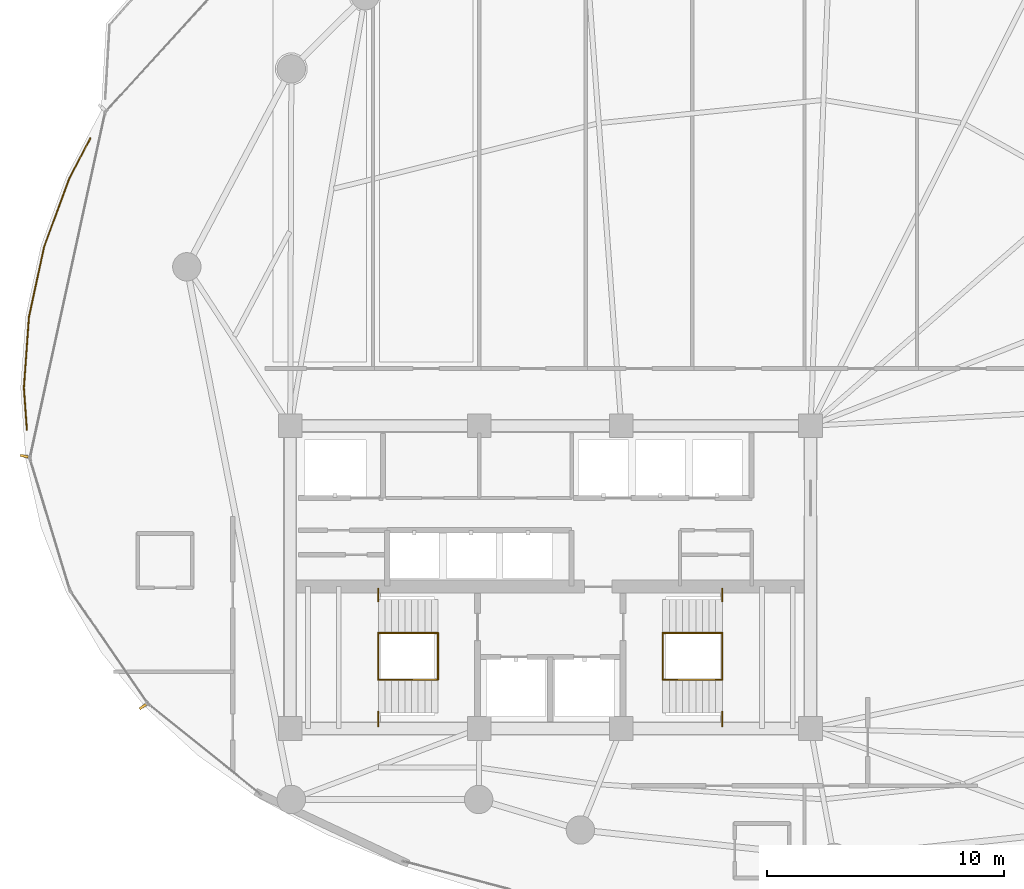
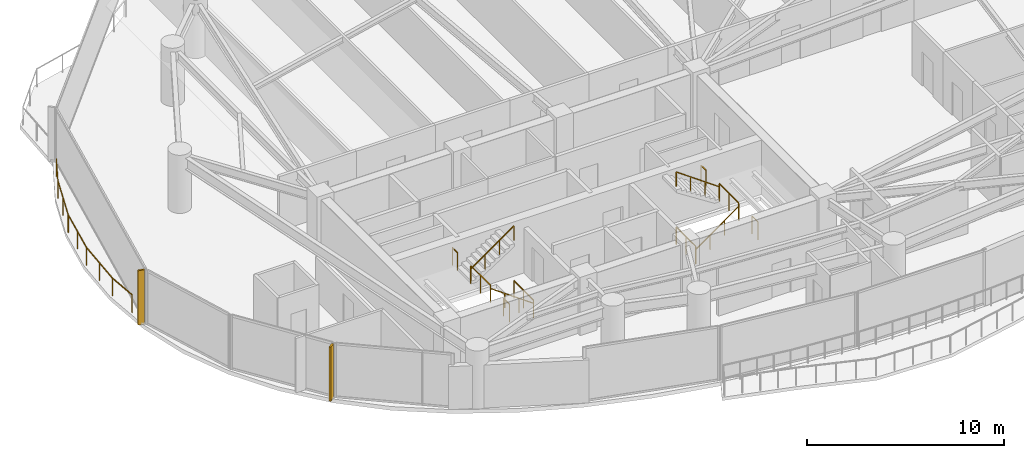
# One storey, part 31 of 34: 13 railings, 2 shading devices.
"""IFC4 building model written with IfcOpenShell, lengths in metres."""

from ifc_helpers import new_model, si_unit, direction, frame, origin, origin_2d, place, context, subcontext, project, spatial, rectangle, extrude, material, type_object, element, save


model = new_model("IFC4")

# Units and contexts
model_context = context("Model", 3, precision=1e-05, world=origin(), true_north=direction((0.0, 1.0)))
body_context = subcontext(model_context, "Body", "Model", "MODEL_VIEW")
ifc_project = project(units=[si_unit("LENGTHUNIT", "METRE"), si_unit("AREAUNIT", "SQUARE_METRE"), si_unit("VOLUMEUNIT", "CUBIC_METRE"), si_unit("PLANEANGLEUNIT", "RADIAN"), si_unit("MASSUNIT", "GRAM", prefix="KILO")], contexts=[model_context])

# Site, building, storey
site_placement = place(None, origin())
site = spatial("IfcSite", under=ifc_project, at=site_placement, CompositionType="ELEMENT")
building_placement = place(site_placement, origin())
building = spatial("IfcBuilding", under=site, at=building_placement, Name="Kazevale Care Tower and Concert Hall", CompositionType="ELEMENT")
storey_placement = place(building_placement, frame((0.0, 0.0, 174.60009765625)))
storey = spatial("IfcBuildingStorey", under=building, at=storey_placement, Name="L46", CompositionType="ELEMENT", Elevation=174.60009765625)

# Railings
ifc_material_1 = material(Name="Anodised Bronze Aluminium and Laminated Glass", Category="aluminium")
railing_type_1 = type_object("IfcRailingType", Name="Balcony and Terrace Balustrade 1120", PredefinedType="BALUSTRADE", material=ifc_material_1)
railing_1_placement = place(storey_placement, frame((10.867919921875, 36.22705078125, 0.0)))
element("IfcRailing", 1, at=railing_1_placement, inside=storey, type_object=railing_type_1, Name="rail:L46:perim:1", PredefinedType="BALUSTRADE", context=body_context, shape_type="SweptSolid", body=[
    extrude(rectangle(XDim=0.048095703125, YDim=0.048095703125, at=origin_2d()), frame((0.0, 0.0, 1.09619140625), z_axis=(-0.071969318028, 0.997406846409, 0.0), x_axis=(-0.997406846409, -0.071969318028, 0.0)), (0.0, 0.0, 1.0), 1.777587890625),
    extrude(rectangle(XDim=0.048095703125, YDim=0.048095703125, at=origin_2d()), frame((-0.1279296875, 1.77294921875, 1.09619140625), z_axis=(0.071442989214, 0.997444684828, 0.0), x_axis=(-0.997444684828, 0.071442989214, 0.0)), (0.0, 0.0, 1.0), 3.0107421875),
    extrude(rectangle(XDim=0.048095703125, YDim=0.048095703125, at=origin_2d()), frame((0.087158203125, 4.77587890625, 1.09619140625), z_axis=(0.211501042265, 0.97737777196, 0.0), x_axis=(-0.97737777196, 0.211501042265, 0.0)), (0.0, 0.0, 1.0), 3.03466796875),
    extrude(rectangle(XDim=0.048095703125, YDim=0.048095703125, at=origin_2d()), frame((0.72900390625, 7.741943359375, 1.09619140625), z_axis=(0.344808910619, 0.938672901046, 0.0), x_axis=(-0.938672901046, 0.344808910619, 0.0)), (0.0, 0.0, 1.0), 3.080078125),
    extrude(rectangle(XDim=0.048095703125, YDim=0.048095703125, at=origin_2d()), frame((1.791015625, 10.633056640625, 1.09619140625), z_axis=(0.466764151967, 0.884381832942, 0.0), x_axis=(-0.884381832942, 0.466764151967, 0.0)), (0.0, 0.0, 1.0), 1.91748046875),
    extrude(rectangle(XDim=0.0419921875, YDim=0.0419921875, at=origin_2d()), origin(), (0.0, 0.0, 1.0), 1.072021484375),
    extrude(rectangle(XDim=0.0419921875, YDim=0.0419921875, at=origin_2d()), frame((-0.1279296875, 1.77294921875, 0.0)), (0.0, 0.0, 1.0), 1.072021484375),
    extrude(rectangle(XDim=0.0419921875, YDim=0.0419921875, at=origin_2d()), frame((-0.0205078125, 3.2744140625, 0.0)), (0.0, 0.0, 1.0), 1.072021484375),
    extrude(rectangle(XDim=0.0419921875, YDim=0.0419921875, at=origin_2d()), frame((0.087158203125, 4.77587890625, 0.0)), (0.0, 0.0, 1.0), 1.072021484375),
    extrude(rectangle(XDim=0.0419921875, YDim=0.0419921875, at=origin_2d()), frame((0.408203125, 6.2587890625, 0.0)), (0.0, 0.0, 1.0), 1.072021484375),
    extrude(rectangle(XDim=0.0419921875, YDim=0.0419921875, at=origin_2d()), frame((0.72900390625, 7.741943359375, 0.0)), (0.0, 0.0, 1.0), 1.072021484375),
    extrude(rectangle(XDim=0.0419921875, YDim=0.0419921875, at=origin_2d()), frame((1.260009765625, 9.1875, 0.0)), (0.0, 0.0, 1.0), 1.072021484375),
    extrude(rectangle(XDim=0.0419921875, YDim=0.0419921875, at=origin_2d()), frame((1.791015625, 10.633056640625, 0.0)), (0.0, 0.0, 1.0), 1.072021484375),
    extrude(rectangle(XDim=0.0419921875, YDim=0.0419921875, at=origin_2d()), frame((2.68603515625, 12.328857421875, 0.0)), (0.0, 0.0, 1.0), 1.072021484375),
])
ifc_material_2 = material(Name="Stainless Steel 316", Category="steel")
railing_type_2 = type_object("IfcRailingType", Name="Stair Pitch Handrail 920", PredefinedType="HANDRAIL", material=ifc_material_2)
railing_2_placement = place(storey_placement, frame((28.25, 25.659912109375, 0.0)))
element("IfcRailing", 2, at=railing_2_placement, inside=storey, type_object=railing_type_2, Name="stair:L46:ST1:hr1", PredefinedType="HANDRAIL", context=body_context, shape_type="SweptSolid", body=[
    extrude(rectangle(XDim=0.048095703125, YDim=0.048095703125, at=origin_2d()), frame((0.0, 0.0, 0.89599609375), z_axis=(-0.813765431312, 0.0, 0.581193446971), x_axis=(0.0, -1.0, 0.0)), (0.0, 0.0, 1.0), 3.0966796875),
    extrude(rectangle(XDim=0.0419921875, YDim=0.0419921875, at=origin_2d()), origin(), (0.0, 0.0, 1.0), 0.871826171875),
    extrude(rectangle(XDim=0.0419921875, YDim=0.0419921875, at=origin_2d()), frame((-0.840087890625, 0.0, 0.599853515625)), (0.0, 0.0, 1.0), 0.871826171875),
    extrude(rectangle(XDim=0.0419921875, YDim=0.0419921875, at=origin_2d()), frame((-1.679931640625, 0.0, 1.199951171875)), (0.0, 0.0, 1.0), 0.871826171875),
    extrude(rectangle(XDim=0.0419921875, YDim=0.0419921875, at=origin_2d()), frame((-2.52001953125, 0.0, 1.7998046875)), (0.0, 0.0, 1.0), 0.871826171875),
])
railing_3_placement = place(storey_placement, frame((25.72998046875, 27.639892578125, 1.7998046875)))
element("IfcRailing", 3, at=railing_3_placement, inside=storey, type_object=railing_type_2, Name="stair:L46:ST1:hr2", PredefinedType="HANDRAIL", context=body_context, shape_type="SweptSolid", body=[
    extrude(rectangle(XDim=0.048095703125, YDim=0.048095703125, at=origin_2d()), frame((0.0, 0.0, 0.89599609375), z_axis=(0.813728144527, 0.0, 0.581245650998), x_axis=(0.0, 1.0, 0.0)), (0.0, 0.0, 1.0), 3.096923828125),
    extrude(rectangle(XDim=0.0419921875, YDim=0.0419921875, at=origin_2d()), origin(), (0.0, 0.0, 1.0), 0.871826171875),
    extrude(rectangle(XDim=0.0419921875, YDim=0.0419921875, at=origin_2d()), frame((0.840087890625, 0.0, 0.60009765625)), (0.0, 0.0, 1.0), 0.871826171875),
    extrude(rectangle(XDim=0.0419921875, YDim=0.0419921875, at=origin_2d()), frame((1.679931640625, 0.0, 1.199951171875)), (0.0, 0.0, 1.0), 0.871826171875),
    extrude(rectangle(XDim=0.0419921875, YDim=0.0419921875, at=origin_2d()), frame((2.52001953125, 0.0, 1.800048828125)), (0.0, 0.0, 1.0), 0.871826171875),
])
railing_4_placement = place(storey_placement, frame((37.75, 25.659912109375, 0.0)))
element("IfcRailing", 4, at=railing_4_placement, inside=storey, type_object=railing_type_2, Name="stair:L46:ST2:hr1", PredefinedType="HANDRAIL", context=body_context, shape_type="SweptSolid", body=[
    extrude(rectangle(XDim=0.048095703125, YDim=0.048095703125, at=origin_2d()), frame((0.0, 0.0, 0.89599609375), z_axis=(0.813765431312, 0.0, 0.581193446971), x_axis=(0.0, 1.0, 0.0)), (0.0, 0.0, 1.0), 3.0966796875),
    extrude(rectangle(XDim=0.0419921875, YDim=0.0419921875, at=origin_2d()), origin(), (0.0, 0.0, 1.0), 0.871826171875),
    extrude(rectangle(XDim=0.0419921875, YDim=0.0419921875, at=origin_2d()), frame((0.840087890625, 0.0, 0.599853515625)), (0.0, 0.0, 1.0), 0.871826171875),
    extrude(rectangle(XDim=0.0419921875, YDim=0.0419921875, at=origin_2d()), frame((1.679931640625, 0.0, 1.199951171875)), (0.0, 0.0, 1.0), 0.871826171875),
    extrude(rectangle(XDim=0.0419921875, YDim=0.0419921875, at=origin_2d()), frame((2.52001953125, 0.0, 1.7998046875)), (0.0, 0.0, 1.0), 0.871826171875),
])
railing_5_placement = place(storey_placement, frame((40.27001953125, 27.639892578125, 1.7998046875)))
element("IfcRailing", 5, at=railing_5_placement, inside=storey, type_object=railing_type_2, Name="stair:L46:ST2:hr2", PredefinedType="HANDRAIL", context=body_context, shape_type="SweptSolid", body=[
    extrude(rectangle(XDim=0.048095703125, YDim=0.048095703125, at=origin_2d()), frame((0.0, 0.0, 0.89599609375), z_axis=(-0.813728144527, 0.0, 0.581245650998), x_axis=(0.0, -1.0, 0.0)), (0.0, 0.0, 1.0), 3.096923828125),
    extrude(rectangle(XDim=0.0419921875, YDim=0.0419921875, at=origin_2d()), origin(), (0.0, 0.0, 1.0), 0.871826171875),
    extrude(rectangle(XDim=0.0419921875, YDim=0.0419921875, at=origin_2d()), frame((-0.840087890625, 0.0, 0.60009765625)), (0.0, 0.0, 1.0), 0.871826171875),
    extrude(rectangle(XDim=0.0419921875, YDim=0.0419921875, at=origin_2d()), frame((-1.679931640625, 0.0, 1.199951171875)), (0.0, 0.0, 1.0), 0.871826171875),
    extrude(rectangle(XDim=0.0419921875, YDim=0.0419921875, at=origin_2d()), frame((-2.52001953125, 0.0, 1.800048828125)), (0.0, 0.0, 1.0), 0.871826171875),
])
railing_type_3 = type_object("IfcRailingType", Name="Stair Well Guard Balustrade 1120", PredefinedType="BALUSTRADE", material=ifc_material_2)
railing_6_placement = place(storey_placement, frame((25.72998046875, 23.699951171875, 1.7998046875)))
element("IfcRailing", 6, at=railing_6_placement, inside=storey, type_object=railing_type_3, Name="stair:L46:ST1:grd_side1", PredefinedType="BALUSTRADE", context=body_context, shape_type="SweptSolid", body=[
    extrude(rectangle(XDim=0.048095703125, YDim=0.048095703125, at=origin_2d()), frame((0.0, 0.0, 1.09619140625), z_axis=(0.0, 1.0, 0.0), x_axis=(-1.0, 0.0, 0.0)), (0.0, 0.0, 1.0), 0.610107421875),
    extrude(rectangle(XDim=0.0419921875, YDim=0.0419921875, at=origin_2d()), origin(), (0.0, 0.0, 1.0), 1.072021484375),
    extrude(rectangle(XDim=0.0419921875, YDim=0.0419921875, at=origin_2d()), frame((0.0, 0.610107421875, 0.0)), (0.0, 0.0, 1.0), 1.072021484375),
])
railing_7_placement = place(storey_placement, frame((25.72998046875, 28.989990234375, 1.7998046875)))
element("IfcRailing", 7, at=railing_7_placement, inside=storey, type_object=railing_type_3, Name="stair:L46:ST1:grd_side2", PredefinedType="BALUSTRADE", context=body_context, shape_type="SweptSolid", body=[
    extrude(rectangle(XDim=0.048095703125, YDim=0.048095703125, at=origin_2d()), frame((0.0, 0.0, 1.09619140625), z_axis=(0.0, 1.0, 0.0), x_axis=(-1.0, 0.0, 0.0)), (0.0, 0.0, 1.0), 0.510009765625),
    extrude(rectangle(XDim=0.0419921875, YDim=0.0419921875, at=origin_2d()), origin(), (0.0, 0.0, 1.0), 1.072021484375),
    extrude(rectangle(XDim=0.0419921875, YDim=0.0419921875, at=origin_2d()), frame((0.0, 0.510009765625, 0.0)), (0.0, 0.0, 1.0), 1.072021484375),
])
for number, where, name in (
    (8, (25.72998046875, 25.659912109375, 1.7998046875), "stair:L46:ST1:grd_mid"),
    (9, (28.25, 25.659912109375, 0.0), "stair:L46:ST1:grd_flr"),
):
    element("IfcRailing", number, at=place(storey_placement, frame(where)), inside=storey, type_object=railing_type_3, Name=name, PredefinedType="BALUSTRADE", context=body_context, shape_type="SweptSolid", body=[
        extrude(rectangle(XDim=0.048095703125, YDim=0.048095703125, at=origin_2d()), frame((0.0, 0.0, 1.09619140625), z_axis=(0.0, 1.0, 0.0), x_axis=(-1.0, 0.0, 0.0)), (0.0, 0.0, 1.0), 1.97998046875),
        extrude(rectangle(XDim=0.0419921875, YDim=0.0419921875, at=origin_2d()), origin(), (0.0, 0.0, 1.0), 1.072021484375),
        extrude(rectangle(XDim=0.0419921875, YDim=0.0419921875, at=origin_2d()), frame((0.0, 0.989990234375, 0.0)), (0.0, 0.0, 1.0), 1.072021484375),
        extrude(rectangle(XDim=0.0419921875, YDim=0.0419921875, at=origin_2d()), frame((0.0, 1.97998046875, 0.0)), (0.0, 0.0, 1.0), 1.072021484375),
    ])
railing_8_placement = place(storey_placement, frame((40.27001953125, 23.699951171875, 1.7998046875)))
element("IfcRailing", 10, at=railing_8_placement, inside=storey, type_object=railing_type_3, Name="stair:L46:ST2:grd_side1", PredefinedType="BALUSTRADE", context=body_context, shape_type="SweptSolid", body=[
    extrude(rectangle(XDim=0.048095703125, YDim=0.048095703125, at=origin_2d()), frame((0.0, 0.0, 1.09619140625), z_axis=(0.0, 1.0, 0.0), x_axis=(-1.0, 0.0, 0.0)), (0.0, 0.0, 1.0), 0.610107421875),
    extrude(rectangle(XDim=0.0419921875, YDim=0.0419921875, at=origin_2d()), origin(), (0.0, 0.0, 1.0), 1.072021484375),
    extrude(rectangle(XDim=0.0419921875, YDim=0.0419921875, at=origin_2d()), frame((0.0, 0.610107421875, 0.0)), (0.0, 0.0, 1.0), 1.072021484375),
])
railing_9_placement = place(storey_placement, frame((40.27001953125, 28.989990234375, 1.7998046875)))
element("IfcRailing", 11, at=railing_9_placement, inside=storey, type_object=railing_type_3, Name="stair:L46:ST2:grd_side2", PredefinedType="BALUSTRADE", context=body_context, shape_type="SweptSolid", body=[
    extrude(rectangle(XDim=0.048095703125, YDim=0.048095703125, at=origin_2d()), frame((0.0, 0.0, 1.09619140625), z_axis=(0.0, 1.0, 0.0), x_axis=(-1.0, 0.0, 0.0)), (0.0, 0.0, 1.0), 0.510009765625),
    extrude(rectangle(XDim=0.0419921875, YDim=0.0419921875, at=origin_2d()), origin(), (0.0, 0.0, 1.0), 1.072021484375),
    extrude(rectangle(XDim=0.0419921875, YDim=0.0419921875, at=origin_2d()), frame((0.0, 0.510009765625, 0.0)), (0.0, 0.0, 1.0), 1.072021484375),
])
for number, where, name in (
    (12, (40.27001953125, 25.659912109375, 1.7998046875), "stair:L46:ST2:grd_mid"),
    (13, (37.75, 25.659912109375, 0.0), "stair:L46:ST2:grd_flr"),
):
    element("IfcRailing", number, at=place(storey_placement, frame(where)), inside=storey, type_object=railing_type_3, Name=name, PredefinedType="BALUSTRADE", context=body_context, shape_type="SweptSolid", body=[
        extrude(rectangle(XDim=0.048095703125, YDim=0.048095703125, at=origin_2d()), frame((0.0, 0.0, 1.09619140625), z_axis=(0.0, 1.0, 0.0), x_axis=(-1.0, 0.0, 0.0)), (0.0, 0.0, 1.0), 1.97998046875),
        extrude(rectangle(XDim=0.0419921875, YDim=0.0419921875, at=origin_2d()), origin(), (0.0, 0.0, 1.0), 1.072021484375),
        extrude(rectangle(XDim=0.0419921875, YDim=0.0419921875, at=origin_2d()), frame((0.0, 0.989990234375, 0.0)), (0.0, 0.0, 1.0), 1.072021484375),
        extrude(rectangle(XDim=0.0419921875, YDim=0.0419921875, at=origin_2d()), frame((0.0, 1.97998046875, 0.0)), (0.0, 0.0, 1.0), 1.072021484375),
    ])

# Shading devices
ifc_material_3 = material(Name="Anodised Bronze Aluminium", Category="aluminium")
shading_device_type = type_object("IfcShadingDeviceType", Name="Waist Anodised Bronze-Stone Fin FIN-02", PredefinedType="USERDEFINED", material=ifc_material_3)
for number, where, z_axis, x_axis, name in (
    (14, (15.7705078125, 24.525634765625, 0.0), (0.0, 0.0, 1.0), (-0.823334533242, -0.567556381667, 0.0), "cw:L46:f11:fin"),
    (15, (10.75341796875, 35.11767578125, 0.0), (0.0, 0.0, 1.0), (-0.97708274037, 0.212859856409, 0.0), "cw:L46:f13:fin"),
):
    element("IfcShadingDevice", number, at=place(storey_placement, frame(where, z_axis=z_axis, x_axis=x_axis)), inside=storey, type_object=shading_device_type, Name=name, ObjectType="FIN", PredefinedType="USERDEFINED", context=body_context, shape_type="SweptSolid", body=[
        extrude(rectangle(XDim=0.340087890625, YDim=0.10009765625, at=origin_2d()), origin(), (0.0, 0.0, 1.0), 3.360107421875),
    ])

save(model, "model.ifc")
